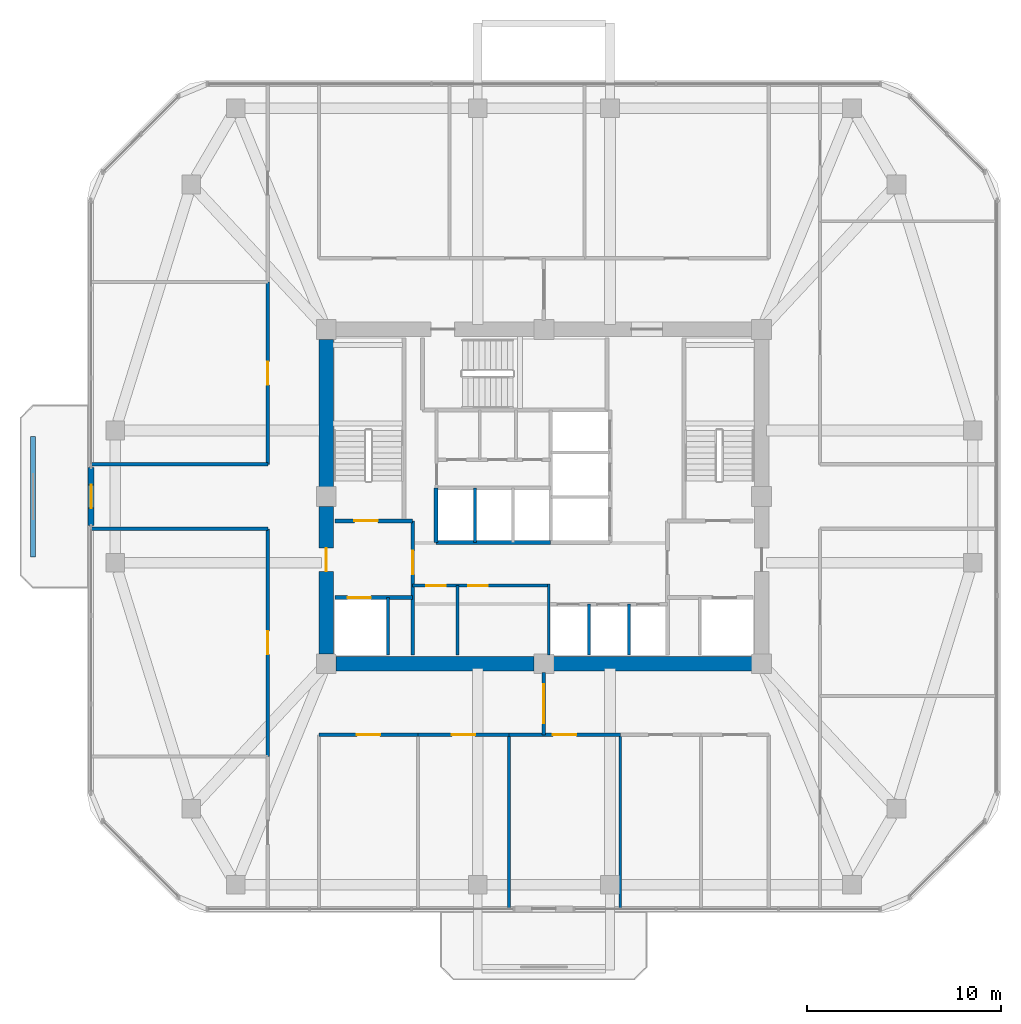
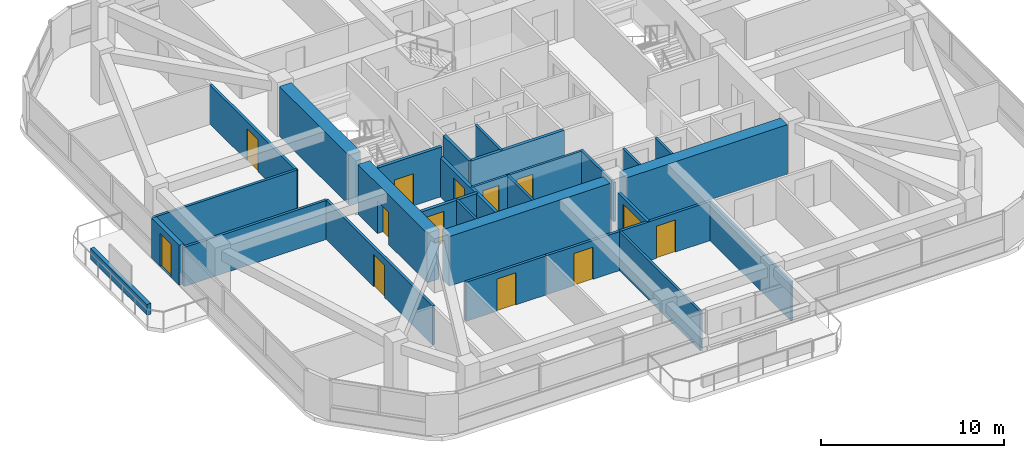
# One storey, part 7 of 12: 28 walls, 13 doors, 13 openings.
"""IFC4 building model written with IfcOpenShell, lengths in metres."""

import ifcopenshell
import ifcopenshell.guid

model = None  # the IFC model being written
_history = None  # IfcOwnerHistory: only IFC2X3 demands one
_inside = {}  # id of a spatial element -> (the spatial element, [elements in it])
_under = {}  # id of a project, library or spatial element -> (it, [spatial elements below it])
_declared = {}  # id of a project -> (the project, [libraries it declares])
_typed = {}  # id of a type object -> (the type object, [elements of that type])
_made_of = {}  # id of a material, layer set ... -> (it, [elements and type objects made of it])


def new_model(schema):
    """Start an empty IFC model of exactly this schema.

    Asked for "IFC4X3", IfcOpenShell would pick the latest addendum, in which some entities
    have other attributes; the version numbers below select the first issue.
    IFC2X3 requires an IfcOwnerHistory on every rooted entity: one is made here for all.
    """
    global model, _history
    if schema == "IFC4X3":
        model = ifcopenshell.file(schema_version=(4, 3, 0, 0))
    else:
        model = ifcopenshell.file(schema=schema)
    _inside.clear()
    _under.clear()
    _declared.clear()
    _typed.clear()
    _made_of.clear()
    _history = None
    if model.schema == "IFC2X3":
        org = make("IfcOrganization", Name="unknown")
        user = make(
            "IfcPersonAndOrganization",
            ThePerson=make("IfcPerson", FamilyName="unknown"),
            TheOrganization=org,
        )
        app = make(
            "IfcApplication",
            ApplicationDeveloper=org,
            Version="unknown",
            ApplicationFullName="unknown",
            ApplicationIdentifier="unknown",
        )
        _history = make(
            "IfcOwnerHistory",
            OwningUser=user,
            OwningApplication=app,
            ChangeAction="ADDED",
            CreationDate=0,
        )
    return model


def make(cls, **values):
    """One entity of the class cls with the attributes given. An attribute that is None is left unset."""
    return model.create_entity(
        cls, **{name: value for name, value in values.items() if value is not None}
    )


def rooted(cls, **values):
    """An entity with a GlobalId (a new one), such as an element, a storey or a relation."""
    return make(cls, GlobalId=ifcopenshell.guid.new(), OwnerHistory=_history, **values)


def si_unit(unit_type, name, prefix=None):
    """IfcSIUnit, for example si_unit("LENGTHUNIT", "METRE", prefix="MILLI")."""
    return make("IfcSIUnit", UnitType=unit_type, Prefix=prefix, Name=name)


def derived_unit(unit_type, elements):
    """IfcDerivedUnit: a product of units, each with its exponent."""
    return make(
        "IfcDerivedUnit",
        Elements=[
            make("IfcDerivedUnitElement", Unit=unit, Exponent=power)
            for unit, power in elements
        ],
        UnitType=unit_type,
    )


def assignment(units):
    """IfcUnitAssignment: the units of a project."""
    return None if units is None else make("IfcUnitAssignment", Units=units)


def point(xyz):
    """IfcCartesianPoint."""
    return None if xyz is None else make("IfcCartesianPoint", Coordinates=xyz)


def direction(xyz):
    """IfcDirection."""
    return None if xyz is None else make("IfcDirection", DirectionRatios=xyz)


def frame(location, z_axis=None, x_axis=None):
    """IfcAxis2Placement3D, a coordinate frame: its origin and axes. An axis left out is left unset."""
    return make(
        "IfcAxis2Placement3D",
        Location=point(location),
        Axis=direction(z_axis),
        RefDirection=direction(x_axis),
    )


def frame_2d(location, x_axis=None):
    """IfcAxis2Placement2D, a coordinate frame in the plane: its origin and x axis."""
    return make(
        "IfcAxis2Placement2D", Location=point(location), RefDirection=direction(x_axis)
    )


def origin():
    """The frame at (0, 0, 0) with its axes left unset."""
    return frame((0.0, 0.0, 0.0))


def place(relative_to, where):
    """IfcLocalPlacement: puts the frame where relative to a parent placement (None: the world)."""
    return make(
        "IfcLocalPlacement", PlacementRelTo=relative_to, RelativePlacement=where
    )


def context(
    kind, dimensions, precision=None, world=None, true_north=None, identifier=None
):
    """IfcGeometricRepresentationContext, for example the 3D "Model" context."""
    return make(
        "IfcGeometricRepresentationContext",
        ContextIdentifier=identifier,
        ContextType=kind,
        CoordinateSpaceDimension=dimensions,
        Precision=precision,
        WorldCoordinateSystem=world,
        TrueNorth=true_north,
    )


def subcontext(parent, identifier, kind, view, scale=None):
    """IfcGeometricRepresentationSubContext, for example "Body" below "Model"."""
    return make(
        "IfcGeometricRepresentationSubContext",
        ContextIdentifier=identifier,
        ContextType=kind,
        ParentContext=parent,
        TargetScale=scale,
        TargetView=view,
    )


def project(units=None, contexts=None):
    """IfcProject with its units and contexts."""
    return rooted(
        "IfcProject",
        Name="project",
        RepresentationContexts=contexts,
        UnitsInContext=assignment(units),
    )


def spatial(cls, under=None, at=None, **own):
    """A site, building, storey or space (cls), placed at a placement, below another one or the project."""
    s = rooted(cls, ObjectPlacement=at, **own)
    if under is not None:
        _under.setdefault(under.id(), (under, []))[1].append(s)
    return s


def profile(cls, at=None, kind="AREA", **sizes):
    """A parametric profile (cls). Its sizes go by their IFC names, for example OverallWidth=200.0."""
    return make(cls, ProfileType=kind, Position=at, **sizes)


def rectangle(**sizes):
    """IfcRectangleProfileDef."""
    return profile("IfcRectangleProfileDef", **sizes)


def extrude(swept, where, along, depth):
    """IfcExtrudedAreaSolid: the profile swept, set in the frame where, extruded along a direction by depth."""
    return make(
        "IfcExtrudedAreaSolid",
        SweptArea=swept,
        Position=where,
        ExtrudedDirection=direction(along),
        Depth=depth,
    )


def shape(context_of_items, identifier, shape_type, items):
    """IfcShapeRepresentation: the items that make up one representation, for example the "Body"."""
    return make(
        "IfcShapeRepresentation",
        ContextOfItems=context_of_items,
        RepresentationIdentifier=identifier,
        RepresentationType=shape_type,
        Items=items,
    )


def material(Name=None, Category=None):
    """IfcMaterial."""
    return make("IfcMaterial", Name=Name, Category=Category)


def layer(
    of_material, thickness, ventilated=None, Name=None, Category=None, Priority=None
):
    """IfcMaterialLayer: one layer of a wall or slab, of a material (None: an air gap)."""
    return make(
        "IfcMaterialLayer",
        Material=of_material,
        LayerThickness=thickness,
        IsVentilated=ventilated,
        Name=Name,
        Category=Category,
        Priority=Priority,
    )


def layer_set(layers, Name=None):
    """IfcMaterialLayerSet."""
    return make("IfcMaterialLayerSet", MaterialLayers=layers, LayerSetName=Name)


def made_of(thing, what):
    """Note that an element or type object is made of a material, layer set ...; save() writes the relation."""
    if what is not None:
        _made_of.setdefault(what.id(), (what, []))[1].append(thing)
    return thing


def type_object(cls, material=None, **own):
    """A type object (cls), such as IfcWallType, which elements share."""
    return made_of(rooted(cls, **own), material)


def element(
    cls,
    number,
    at=None,
    inside=None,
    cuts=None,
    type_object=None,
    material=None,
    context=None,
    identifier="Body",
    shape_type=None,
    held_by="IfcProductDefinitionShape",
    body=None,
    shapes=None,
    **own,
):
    """One element of the class cls, such as IfcWall. Its Tag is "e" and its number.

    at: its placement. inside: the storey or other place that contains it. cuts: it is an
    opening in that element (IfcRelVoidsElement). A single representation is given by context,
    identifier, shape_type and body (its items); several are given by shapes. held_by: the class
    of the entity that holds the representations. save() writes the other relations.
    """
    e = rooted(cls, Tag="e%d" % number, ObjectPlacement=at, **own)
    if body is not None:
        shapes = [shape(context, identifier, shape_type, body)]
    if shapes is not None:
        e.Representation = make(held_by, Representations=shapes)
    if inside is not None:
        _inside.setdefault(inside.id(), (inside, []))[1].append(e)
    if cuts is not None:
        rooted(
            "IfcRelVoidsElement", RelatingBuildingElement=cuts, RelatedOpeningElement=e
        )
    if type_object is not None:
        _typed.setdefault(type_object.id(), (type_object, []))[1].append(e)
    return made_of(e, material)


def fill(opening, filler):
    """IfcRelFillsElement: the door or window that sits in an opening."""
    return rooted(
        "IfcRelFillsElement",
        RelatingOpeningElement=opening,
        RelatedBuildingElement=filler,
    )


def aggregate(whole, parts):
    """IfcRelAggregates: a whole, such as a stair, and the parts it consists of."""
    return rooted("IfcRelAggregates", RelatingObject=whole, RelatedObjects=parts)


def save(model, path):
    """Write the relations noted so far, then the file.

    IfcRelAggregates (storeys below a building ...), IfcRelContainedInSpatialStructure (elements
    in a storey), IfcRelDefinesByType, IfcRelAssociatesMaterial and IfcRelDeclares: one each for
    every whole, place, type object, material and project.
    """
    for whole, parts in _under.values():
        aggregate(whole, parts)
    for where, things in _inside.values():
        rooted(
            "IfcRelContainedInSpatialStructure",
            RelatedElements=things,
            RelatingStructure=where,
        )
    for kind, things in _typed.values():
        rooted("IfcRelDefinesByType", RelatedObjects=things, RelatingType=kind)
    for what, things in _made_of.values():
        rooted("IfcRelAssociatesMaterial", RelatedObjects=things, RelatingMaterial=what)
    for by, libraries in _declared.values():
        rooted("IfcRelDeclares", RelatingContext=by, RelatedDefinitions=libraries)
    model.write(path)


model = new_model("IFC4")

# Units and contexts
model_context = context("Model", 3, precision=1e-05, world=origin(), true_north=direction((0.0, 1.0)))
body_context = subcontext(model_context, "Body", "Model", "MODEL_VIEW")
ifc_project = project(units=[si_unit("LENGTHUNIT", "METRE"), si_unit("AREAUNIT", "SQUARE_METRE"), si_unit("VOLUMEUNIT", "CUBIC_METRE"), si_unit("PLANEANGLEUNIT", "RADIAN"), si_unit("MASSUNIT", "GRAM", prefix="KILO"), derived_unit("THERMALTRANSMITTANCEUNIT", [(si_unit("POWERUNIT", "WATT"), 1), (si_unit("LENGTHUNIT", "METRE"), -2), (si_unit("THERMODYNAMICTEMPERATUREUNIT", "KELVIN"), -1)])], contexts=[model_context])

# Site, building, storey
site_placement = place(None, origin())
site = spatial("IfcSite", under=ifc_project, at=site_placement, CompositionType="ELEMENT")
building_placement = place(site_placement, origin())
building = spatial("IfcBuilding", under=site, at=building_placement, Name="Koralith Skygarden Medical Center", CompositionType="ELEMENT")
storey_placement = place(building_placement, frame((0.0, 0.0, 149.219970703125)))
storey = spatial("IfcBuildingStorey", under=building, at=storey_placement, Name="L38", CompositionType="ELEMENT", Elevation=149.219970703125)

# Wall, openings, doors
ifc_material_1 = material(Name="Gypsum Board Partition")
ifc_layer_1 = layer(ifc_material_1, 0.14990234375)
ifc_layer_set_1 = layer_set([ifc_layer_1], Name="Gypsum Board Partition")
wall_type_1 = type_object("IfcWallType", Name="Clinical Acoustic Partition 150", PredefinedType="PARTITIONING", material=ifc_layer_set_1)
wall_1_placement = place(storey_placement, frame((30.25, 21.320068359375, 0.0), z_axis=(0.0, 0.0, 1.0), x_axis=(1.0, 0.0, 0.0)))
wall_1 = element("IfcWall", 1, at=wall_1_placement, inside=storey, type_object=wall_type_1, Name="L38 Clinical Acoustic Partition 150 W-CORE-L38-FREED-LR-N", PredefinedType="PARTITIONING", context=body_context, shape_type="SweptSolid", body=[
    extrude(rectangle(XDim=7.0, YDim=0.14990234375, at=frame_2d((3.5, 0.0))), origin(), (0.0, 0.0, 1.0), 2.610107421875),
])
opening_1_placement = place(wall_1_placement, frame((0.699951171875, 0.0, 0.0)))
opening_1 = element("IfcOpeningElement", 2, at=opening_1_placement, cuts=wall_1, Name="Opening D-SUP", PredefinedType="OPENING", context=body_context, shape_type="SweptSolid", body=[
    extrude(rectangle(XDim=1.0, YDim=2.14990234375, at=frame_2d((0.5, 1.074951171875))), frame((0.0, 0.0849609375, 0.0), z_axis=(0.0, -1.0, 0.0), x_axis=(1.0, 0.0, 0.0)), (0.0, 0.0, 1.0), 0.169921875),
])
opening_2_placement = place(wall_1_placement, frame((2.85009765625, 0.0, 0.0)))
opening_2 = element("IfcOpeningElement", 3, at=opening_2_placement, cuts=wall_1, Name="Opening D-SUP", PredefinedType="OPENING", context=body_context, shape_type="SweptSolid", body=[
    extrude(rectangle(XDim=1.0, YDim=2.14990234375, at=frame_2d((0.5, 1.074951171875))), frame((0.0, 0.0849609375, 0.0), z_axis=(0.0, -1.0, 0.0), x_axis=(1.0, 0.0, 0.0)), (0.0, 0.0, 1.0), 0.169921875),
])
ifc_material_2 = material(Name="Aluminium 6063-T6", Category="aluminium")
door_type_1 = type_object("IfcDoorType", Name="Clinical Support Door D-SUP 1000", OperationType="NOTDEFINED", PredefinedType="DOOR", material=ifc_material_2)
door_1_placement = place(opening_1_placement, frame((1.0, 0.0, 0.0), z_axis=(0.0, 0.0, 1.0), x_axis=(-1.0, 0.0, 0.0)))
door_1 = element("IfcDoor", 4, at=door_1_placement, inside=storey, type_object=door_type_1, Name="L38 Medication Preparation Door", OperationType="SINGLE_SWING_LEFT", OverallHeight=2.14990234375, OverallWidth=1.0, PredefinedType="DOOR", context=body_context, shape_type="SweptSolid", body=[
    extrude(rectangle(XDim=1.0, YDim=2.14990234375, at=frame_2d((0.5, 1.074951171875))), frame((0.0, 0.02490234375, 0.0), z_axis=(0.0, -1.0, 0.0), x_axis=(1.0, 0.0, 0.0)), (0.0, 0.0, 1.0), 0.050048828125),
])
fill(opening_1, door_1)
door_2_placement = place(opening_2_placement, frame((1.0, 0.0, 0.0), z_axis=(0.0, 0.0, 1.0), x_axis=(-1.0, 0.0, 0.0)))
door_2 = element("IfcDoor", 5, at=door_2_placement, inside=storey, type_object=door_type_1, Name="L38 Telemetry Room Door", OperationType="SINGLE_SWING_RIGHT", OverallHeight=2.14990234375, OverallWidth=1.0, PredefinedType="DOOR", context=body_context, shape_type="SweptSolid", body=[
    extrude(rectangle(XDim=1.0, YDim=2.14990234375, at=frame_2d((0.5, 1.074951171875))), frame((0.0, 0.02490234375, 0.0), z_axis=(0.0, -1.0, 0.0), x_axis=(1.0, 0.0, 0.0)), (0.0, 0.0, 1.0), 0.050048828125),
])
fill(opening_2, door_2)

# Walls
wall_2_placement = place(storey_placement, frame((32.550048828125, 17.75, 0.0), z_axis=(0.0, 0.0, 1.0), x_axis=(0.0, 1.0, 0.0)))
element("IfcWall", 6, at=wall_2_placement, inside=storey, type_object=wall_type_1, Name="L38 Clinical Acoustic Partition 150 W-CORE-L38-FREED-LR-M", PredefinedType="PARTITIONING", context=body_context, shape_type="SweptSolid", body=[
    extrude(rectangle(XDim=3.570068359375, YDim=0.14990234375, at=frame_2d((1.78515625, 0.0))), origin(), (0.0, 0.0, 1.0), 2.610107421875),
])
for number, where, z_axis, x_axis, name in (
    (7, (35.199951171875, 13.639892578125, 0.0), (0.0, 0.0, 1.0), (0.0, -1.0, 0.0), "L38 Clinical Acoustic Partition 150 W-PART-L38-S-02"),
    (8, (40.929931640625, 13.639892578125, 0.0), (0.0, 0.0, 1.0), (0.0, -1.0, 0.0), "L38 Clinical Acoustic Partition 150 W-PART-L38-S-03"),
):
    element("IfcWall", number, at=place(storey_placement, frame(where, z_axis=z_axis, x_axis=x_axis)), inside=storey, type_object=wall_type_1, Name=name, PredefinedType="PARTITIONING", context=body_context, shape_type="SweptSolid", body=[
        extrude(rectangle(XDim=8.93994140625, YDim=0.14990234375, at=frame_2d((4.469970703125, 0.0))), origin(), (0.0, 0.0, 1.0), 2.610107421875),
    ])
ifc_layer_2 = layer(ifc_material_1, 0.1650390625)
ifc_layer_set_2 = layer_set([ifc_layer_2], Name="Gypsum Board Partition")
wall_type_2 = type_object("IfcWallType", Name="Clinical Corridor Partition 165", PredefinedType="PARTITIONING", material=ifc_layer_set_2)
for number, where, z_axis, x_axis, name in (
    (9, (13.716064453125, 24.239990234375, 0.0), (0.0, 0.0, 1.0), (1.0, 0.0, 0.0), "L38 Clinical Corridor Partition 165 W-HCOR-L38-EWS-W"),
    (10, (13.716064453125, 27.56005859375, 0.0), (0.0, 0.0, 1.0), (1.0, 0.0, 0.0), "L38 Clinical Corridor Partition 165 W-HCOR-L38-EWN-W"),
):
    element("IfcWall", number, at=place(storey_placement, frame(where, z_axis=z_axis, x_axis=x_axis)), inside=storey, type_object=wall_type_2, Name=name, PredefinedType="PARTITIONING", context=body_context, shape_type="SweptSolid", body=[
        extrude(rectangle(XDim=9.073974609375, YDim=0.1650390625, at=frame_2d((4.537109375, 0.0))), origin(), (0.0, 0.0, 1.0), 2.610107421875),
    ])

# Wall, opening, door
wall_3_placement = place(storey_placement, frame((25.429931640625, 13.639892578125, 0.0), z_axis=(0.0, 0.0, 1.0), x_axis=(1.0, 0.0, 0.0)))
wall_3 = element("IfcWall", 11, at=wall_3_placement, inside=storey, type_object=wall_type_2, Name="L38 Clinical Corridor Partition 165 W-CORR-L38-S-01", PredefinedType="PARTITIONING", context=body_context, shape_type="SweptSolid", body=[
    extrude(rectangle(XDim=5.095947265625, YDim=0.1650390625, at=frame_2d((2.5478515625, 0.0))), origin(), (0.0, 0.0, 1.0), 2.610107421875),
])
opening_3_placement = place(wall_3_placement, frame((1.947998046875, 0.0, 0.0)))
opening_3 = element("IfcOpeningElement", 12, at=opening_3_placement, cuts=wall_3, Name="Opening D-CLN", PredefinedType="OPENING", context=body_context, shape_type="SweptSolid", body=[
    extrude(rectangle(XDim=1.199951171875, YDim=2.14990234375, at=frame_2d((0.60009765625, 1.074951171875))), frame((0.0, 0.092529296875, 0.0), z_axis=(0.0, -1.0, 0.0), x_axis=(1.0, 0.0, 0.0)), (0.0, 0.0, 1.0), 0.18505859375),
])
door_type_2 = type_object("IfcDoorType", Name="Clinical Corridor Door D-CLN 1200", OperationType="NOTDEFINED", PredefinedType="DOOR", material=ifc_material_2)
door_3_placement = place(opening_3_placement, frame((1.199951171875, 0.0, 0.0), z_axis=(0.0, 0.0, 1.0), x_axis=(-1.0, 0.0, 0.0)))
door_3 = element("IfcDoor", 13, at=door_3_placement, inside=storey, type_object=door_type_2, Name="L38 Clinical Consultation Office 04 Door", OperationType="SINGLE_SWING_LEFT", OverallHeight=2.14990234375, OverallWidth=1.199951171875, PredefinedType="DOOR", context=body_context, shape_type="SweptSolid", body=[
    extrude(rectangle(XDim=1.199951171875, YDim=2.14990234375, at=frame_2d((0.60009765625, 1.074951171875))), frame((0.0, 0.02490234375, 0.0), z_axis=(0.0, -1.0, 0.0), x_axis=(1.0, 0.0, 0.0)), (0.0, 0.0, 1.0), 0.050048828125),
])
fill(opening_3, door_3)

wall_4_placement = place(storey_placement, frame((30.52587890625, 13.639892578125, 0.0), z_axis=(0.0, 0.0, 1.0), x_axis=(1.0, 0.0, 0.0)))
wall_4 = element("IfcWall", 14, at=wall_4_placement, inside=storey, type_object=wall_type_2, Name="L38 Clinical Corridor Partition 165 W-CORR-L38-S-02", PredefinedType="PARTITIONING", context=body_context, shape_type="SweptSolid", body=[
    extrude(rectangle(XDim=4.674072265625, YDim=0.1650390625, at=frame_2d((2.3369140625, 0.0))), origin(), (0.0, 0.0, 1.0), 2.610107421875),
])
opening_4_placement = place(wall_4_placement, frame((1.737060546875, 0.0, 0.0)))
opening_4 = element("IfcOpeningElement", 15, at=opening_4_placement, cuts=wall_4, Name="Opening D-CLN", PredefinedType="OPENING", context=body_context, shape_type="SweptSolid", body=[
    extrude(rectangle(XDim=1.199951171875, YDim=2.14990234375, at=frame_2d((0.60009765625, 1.074951171875))), frame((0.0, 0.092529296875, 0.0), z_axis=(0.0, -1.0, 0.0), x_axis=(1.0, 0.0, 0.0)), (0.0, 0.0, 1.0), 0.18505859375),
])
door_4_placement = place(opening_4_placement, frame((1.199951171875, 0.0, 0.0), z_axis=(0.0, 0.0, 1.0), x_axis=(-1.0, 0.0, 0.0)))
door_4 = element("IfcDoor", 16, at=door_4_placement, inside=storey, type_object=door_type_2, Name="L38 Dermatology Procedure Room 05 Door", OperationType="SINGLE_SWING_RIGHT", OverallHeight=2.14990234375, OverallWidth=1.199951171875, PredefinedType="DOOR", context=body_context, shape_type="SweptSolid", body=[
    extrude(rectangle(XDim=1.199951171875, YDim=2.14990234375, at=frame_2d((0.60009765625, 1.074951171875))), frame((0.0, 0.02490234375, 0.0), z_axis=(0.0, -1.0, 0.0), x_axis=(1.0, 0.0, 0.0)), (0.0, 0.0, 1.0), 0.050048828125),
])
fill(opening_4, door_4)

wall_5_placement = place(storey_placement, frame((35.199951171875, 13.639892578125, 0.0), z_axis=(0.0, 0.0, 1.0), x_axis=(1.0, 0.0, 0.0)))
wall_5 = element("IfcWall", 17, at=wall_5_placement, inside=storey, type_object=wall_type_2, Name="L38 Clinical Corridor Partition 165 W-CORR-L38-S-03", PredefinedType="PARTITIONING", context=body_context, shape_type="SweptSolid", body=[
    extrude(rectangle(XDim=5.72998046875, YDim=0.1650390625, at=frame_2d((2.864990234375, 0.0))), origin(), (0.0, 0.0, 1.0), 2.610107421875),
])
opening_5_placement = place(wall_5_placement, frame((2.264892578125, 0.0, 0.0)))
opening_5 = element("IfcOpeningElement", 18, at=opening_5_placement, cuts=wall_5, Name="Opening D-CLN", PredefinedType="OPENING", context=body_context, shape_type="SweptSolid", body=[
    extrude(rectangle(XDim=1.199951171875, YDim=2.14990234375, at=frame_2d((0.60009765625, 1.074951171875))), frame((0.0, 0.092529296875, 0.0), z_axis=(0.0, -1.0, 0.0), x_axis=(1.0, 0.0, 0.0)), (0.0, 0.0, 1.0), 0.18505859375),
])
door_5_placement = place(opening_5_placement, frame((1.199951171875, 0.0, 0.0), z_axis=(0.0, 0.0, 1.0), x_axis=(-1.0, 0.0, 0.0)))
door_5 = element("IfcDoor", 19, at=door_5_placement, inside=storey, type_object=door_type_2, Name="L38 Patient and Family Sky-Garden Day Lounge 06 Door", OperationType="SINGLE_SWING_LEFT", OverallHeight=2.14990234375, OverallWidth=1.199951171875, PredefinedType="DOOR", context=body_context, shape_type="SweptSolid", body=[
    extrude(rectangle(XDim=1.199951171875, YDim=2.14990234375, at=frame_2d((0.60009765625, 1.074951171875))), frame((0.0, 0.02490234375, 0.0), z_axis=(0.0, -1.0, 0.0), x_axis=(1.0, 0.0, 0.0)), (0.0, 0.0, 1.0), 0.050048828125),
])
fill(opening_5, door_5)

wall_6_placement = place(storey_placement, frame((22.7900390625, 12.51611328125, 0.0), z_axis=(0.0, 0.0, 1.0), x_axis=(0.0, 1.0, 0.0)))
wall_6 = element("IfcWall", 20, at=wall_6_placement, inside=storey, type_object=wall_type_2, Name="L38 Clinical Corridor Partition 165 W-CORR-L38-WS-02", PredefinedType="PARTITIONING", context=body_context, shape_type="SweptSolid", body=[
    extrude(rectangle(XDim=11.723876953125, YDim=0.1650390625, at=frame_2d((5.86181640625, 0.0))), origin(), (0.0, 0.0, 1.0), 2.610107421875),
])
opening_6_placement = place(wall_6_placement, frame((5.261962890625, 0.0, 0.0)))
opening_6 = element("IfcOpeningElement", 21, at=opening_6_placement, cuts=wall_6, Name="Opening D-CLN", PredefinedType="OPENING", context=body_context, shape_type="SweptSolid", body=[
    extrude(rectangle(XDim=1.199951171875, YDim=2.14990234375, at=frame_2d((0.60009765625, 1.074951171875))), frame((0.0, 0.092529296875, 0.0), z_axis=(0.0, -1.0, 0.0), x_axis=(1.0, 0.0, 0.0)), (0.0, 0.0, 1.0), 0.18505859375),
])
door_6_placement = place(opening_6_placement, frame((1.199951171875, 0.0, 0.0), z_axis=(0.0, 0.0, 1.0), x_axis=(-1.0, 0.0, 0.0)))
door_6 = element("IfcDoor", 22, at=door_6_placement, inside=storey, type_object=door_type_2, Name="L38 Dermatology Procedure Room 10 Door", OperationType="SINGLE_SWING_LEFT", OverallHeight=2.14990234375, OverallWidth=1.199951171875, PredefinedType="DOOR", context=body_context, shape_type="SweptSolid", body=[
    extrude(rectangle(XDim=1.199951171875, YDim=2.14990234375, at=frame_2d((0.60009765625, 1.074951171875))), frame((0.0, 0.02490234375, 0.0), z_axis=(0.0, -1.0, 0.0), x_axis=(1.0, 0.0, 0.0)), (0.0, 0.0, 1.0), 0.050048828125),
])
fill(opening_6, door_6)

wall_7_placement = place(storey_placement, frame((22.7900390625, 27.56005859375, 0.0), z_axis=(0.0, 0.0, 1.0), x_axis=(0.0, 1.0, 0.0)))
wall_7 = element("IfcWall", 23, at=wall_7_placement, inside=storey, type_object=wall_type_2, Name="L38 Clinical Corridor Partition 165 W-CORR-L38-WN-01", PredefinedType="PARTITIONING", context=body_context, shape_type="SweptSolid", body=[
    extrude(rectangle(XDim=9.37890625, YDim=0.1650390625, at=frame_2d((4.689453125, 0.0))), origin(), (0.0, 0.0, 1.0), 2.610107421875),
])
opening_7_placement = place(wall_7_placement, frame((4.090087890625, 0.0, 0.0)))
opening_7 = element("IfcOpeningElement", 24, at=opening_7_placement, cuts=wall_7, Name="Opening D-CLN", PredefinedType="OPENING", context=body_context, shape_type="SweptSolid", body=[
    extrude(rectangle(XDim=1.199951171875, YDim=2.14990234375, at=frame_2d((0.60009765625, 1.074951171875))), frame((0.0, 0.092529296875, 0.0), z_axis=(0.0, -1.0, 0.0), x_axis=(1.0, 0.0, 0.0)), (0.0, 0.0, 1.0), 0.18505859375),
])
door_7_placement = place(opening_7_placement, frame((1.199951171875, 0.0, 0.0), z_axis=(0.0, 0.0, 1.0), x_axis=(-1.0, 0.0, 0.0)))
door_7 = element("IfcDoor", 25, at=door_7_placement, inside=storey, type_object=door_type_2, Name="L38 Allergy Immunology Office 11 Door", OperationType="SINGLE_SWING_RIGHT", OverallHeight=2.14990234375, OverallWidth=1.199951171875, PredefinedType="DOOR", context=body_context, shape_type="SweptSolid", body=[
    extrude(rectangle(XDim=1.199951171875, YDim=2.14990234375, at=frame_2d((0.60009765625, 1.074951171875))), frame((0.0, 0.02490234375, 0.0), z_axis=(0.0, -1.0, 0.0), x_axis=(1.0, 0.0, 0.0)), (0.0, 0.0, 1.0), 0.050048828125),
])
fill(opening_7, door_7)

ifc_layer_3 = layer(ifc_material_1, 0.199951171875)
ifc_layer_set_3 = layer_set([ifc_layer_3], Name="Gypsum Board Partition")
wall_type_3 = type_object("IfcWallType", Name="Fire Shaft Wall 200", PredefinedType="SOLIDWALL", material=ifc_layer_set_3)
wall_8_placement = place(storey_placement, frame((26.25, 20.699951171875, 0.0), z_axis=(0.0, 0.0, 1.0), x_axis=(1.0, 0.0, 0.0)))
wall_8 = element("IfcWall", 26, at=wall_8_placement, inside=storey, type_object=wall_type_3, Name="L38 Fire Shaft Wall 200 W-CORE-L38-FF1-N", PredefinedType="SOLIDWALL", context=body_context, shape_type="SweptSolid", body=[
    extrude(rectangle(XDim=4.0, YDim=0.199951171875, at=frame_2d((2.0, 0.0))), origin(), (0.0, 0.0, 1.0), 2.610107421875),
])
opening_8_placement = place(wall_8_placement, frame((0.64990234375, 0.0, 0.0)))
opening_8 = element("IfcOpeningElement", 27, at=opening_8_placement, cuts=wall_8, Name="Opening LD-FF", PredefinedType="OPENING", context=body_context, shape_type="SweptSolid", body=[
    extrude(rectangle(XDim=1.199951171875, YDim=2.14990234375, at=frame_2d((0.60009765625, 1.074951171875))), frame((0.0, 0.10986328125, 0.0), z_axis=(0.0, -1.0, 0.0), x_axis=(1.0, 0.0, 0.0)), (0.0, 0.0, 1.0), 0.219970703125),
])
ifc_material_3 = material(Name="Steel ASTM A500 Grade C", Category="steel")
door_type_3 = type_object("IfcDoorType", Name="Fire Lift Sliding Landing Door LD-FF 1200", OperationType="NOTDEFINED", PredefinedType="DOOR", material=ifc_material_3)
door_8_placement = place(opening_8_placement, origin())
door_8 = element("IfcDoor", 28, at=door_8_placement, inside=storey, type_object=door_type_3, Name="L38 Fire Service Elevator FF1 Landing Door", OperationType="SLIDING_TO_LEFT", OverallHeight=2.14990234375, OverallWidth=1.199951171875, PredefinedType="DOOR", context=body_context, shape_type="SweptSolid", body=[
    extrude(rectangle(XDim=1.199951171875, YDim=2.14990234375, at=frame_2d((0.60009765625, 1.074951171875))), frame((0.0, 0.02490234375, 0.0), z_axis=(0.0, -1.0, 0.0), x_axis=(1.0, 0.0, 0.0)), (0.0, 0.0, 1.0), 0.050048828125),
])
fill(opening_8, door_8)

wall_9_placement = place(storey_placement, frame((30.25, 17.75, 0.0), z_axis=(0.0, 0.0, 1.0), x_axis=(0.0, 1.0, 0.0)))
wall_9 = element("IfcWall", 29, at=wall_9_placement, inside=storey, type_object=wall_type_3, Name="L38 Fire Shaft Wall 200 W-CORE-L38-FSAEW-E", PredefinedType="SOLIDWALL", context=body_context, shape_type="SweptSolid", body=[
    extrude(rectangle(XDim=6.89990234375, YDim=0.199951171875, at=frame_2d((3.449951171875, 0.0))), origin(), (0.0, 0.0, 1.0), 2.610107421875),
])
opening_9_placement = place(wall_9_placement, frame((4.14990234375, 0.0, 0.0)))
opening_9 = element("IfcOpeningElement", 30, at=opening_9_placement, cuts=wall_9, Name="Opening D-ST60", PredefinedType="OPENING", context=body_context, shape_type="SweptSolid", body=[
    extrude(rectangle(XDim=1.199951171875, YDim=2.14990234375, at=frame_2d((0.60009765625, 1.074951171875))), frame((0.0, 0.10986328125, 0.0), z_axis=(0.0, -1.0, 0.0), x_axis=(1.0, 0.0, 0.0)), (0.0, 0.0, 1.0), 0.219970703125),
])
door_type_4 = type_object("IfcDoorType", Name="Smokeproof Stair Fire Door FD60S 1200", OperationType="NOTDEFINED", PredefinedType="DOOR", material=ifc_material_3)
door_9_placement = place(opening_9_placement, origin())
door_9 = element("IfcDoor", 31, at=door_9_placement, inside=storey, type_object=door_type_4, Name="L38 West Firefighting Lobby Inner Fire Door", OperationType="SINGLE_SWING_LEFT", OverallHeight=2.14990234375, OverallWidth=1.199951171875, PredefinedType="DOOR", context=body_context, shape_type="SweptSolid", body=[
    extrude(rectangle(XDim=1.199951171875, YDim=2.14990234375, at=frame_2d((0.60009765625, 1.074951171875))), frame((0.0, 0.02490234375, 0.0), z_axis=(0.0, -1.0, 0.0), x_axis=(1.0, 0.0, 0.0)), (0.0, 0.0, 1.0), 0.050048828125),
])
fill(opening_9, door_9)

# Walls
wall_10_placement = place(storey_placement, frame((31.449951171875, 23.5400390625, 0.0), z_axis=(0.0, 0.0, 1.0), x_axis=(1.0, 0.0, 0.0)))
element("IfcWall", 32, at=wall_10_placement, inside=storey, type_object=wall_type_3, Name="L38 Fire Shaft Wall 200 W-CORE-L38-PH-S", PredefinedType="SOLIDWALL", context=body_context, shape_type="SweptSolid", body=[
    extrude(rectangle(XDim=5.900146484375, YDim=0.199951171875, at=frame_2d((2.9501953125, 0.0))), origin(), (0.0, 0.0, 1.0), 2.610107421875),
])
wall_11_placement = place(storey_placement, frame((31.449951171875, 23.5400390625, 0.0), z_axis=(0.0, 0.0, 1.0), x_axis=(0.0, 1.0, 0.0)))
element("IfcWall", 33, at=wall_11_placement, inside=storey, type_object=wall_type_3, Name="L38 Fire Shaft Wall 200 W-CORE-L38-PH-W", PredefinedType="SOLIDWALL", context=body_context, shape_type="SweptSolid", body=[
    extrude(rectangle(XDim=2.81005859375, YDim=0.199951171875, at=frame_2d((1.405029296875, 0.0))), origin(), (0.0, 0.0, 1.0), 2.610107421875),
])

# Wall, opening, door
ifc_layer_4 = layer(ifc_material_1, 0.179931640625)
ifc_layer_set_4 = layer_set([ifc_layer_4], Name="Gypsum Board Partition")
wall_type_4 = type_object("IfcWallType", Name="Group I-2 Smoke Barrier Wall 180", PredefinedType="PARTITIONING", material=ifc_layer_set_4)
wall_12_placement = place(storey_placement, frame((37.0, 13.639892578125, 0.0), z_axis=(0.0, 0.0, 1.0), x_axis=(0.0, 1.0, 0.0)))
wall_12 = element("IfcWall", 34, at=wall_12_placement, inside=storey, type_object=wall_type_4, Name="L38 Group I-2 Smoke Barrier Wall 180 W-SMK-L38-S", PredefinedType="PARTITIONING", context=body_context, shape_type="SweptSolid", body=[
    extrude(rectangle(XDim=3.210205078125, YDim=0.179931640625, at=frame_2d((1.60498046875, 0.0))), origin(), (0.0, 0.0, 1.0), 2.610107421875),
])
opening_10_placement = place(wall_12_placement, frame((0.60498046875, 0.0, 0.0)))
opening_10 = element("IfcOpeningElement", 35, at=opening_10_placement, cuts=wall_12, Name="Opening D-SMK", PredefinedType="OPENING", context=body_context, shape_type="SweptSolid", body=[
    extrude(rectangle(XDim=2.0, YDim=2.199951171875, at=frame_2d((1.0, 1.10009765625))), frame((0.0, 0.099853515625, 0.0), z_axis=(0.0, -1.0, 0.0), x_axis=(1.0, 0.0, 0.0)), (0.0, 0.0, 1.0), 0.199951171875),
])
door_type_5 = type_object("IfcDoorType", Name="Cross-Corridor Double Smoke Door FD60S 2000", OperationType="NOTDEFINED", PredefinedType="DOOR", material=ifc_material_3)
door_10_placement = place(opening_10_placement, frame((2.0, 0.0, 0.0), z_axis=(0.0, 0.0, 1.0), x_axis=(-1.0, 0.0, 0.0)))
door_10 = element("IfcDoor", 36, at=door_10_placement, inside=storey, type_object=door_type_5, Name="L38 S Smoke Compartment Cross-Corridor Door", OperationType="DOUBLE_DOOR_SINGLE_SWING", OverallHeight=2.199951171875, OverallWidth=2.0, PredefinedType="DOOR", context=body_context, shape_type="SweptSolid", body=[
    extrude(rectangle(XDim=2.0, YDim=2.199951171875, at=frame_2d((1.0, 1.10009765625))), frame((0.0, 0.02490234375, 0.0), z_axis=(0.0, -1.0, 0.0), x_axis=(1.0, 0.0, 0.0)), (0.0, 0.0, 1.0), 0.050048828125),
])
fill(opening_10, door_10)

# Walls
ifc_material_4 = material(Name="Concrete C70/85", Category="concrete")
ifc_layer_5 = layer(ifc_material_4, 0.75)
ifc_layer_set_5 = layer_set([ifc_layer_5], Name="Concrete C70/85")
wall_type_5 = type_object("IfcWallType", Name="Mid Core Shear Wall 750", PredefinedType="SHEAR", material=ifc_layer_set_5)
for number, where, z_axis, x_axis, name in (
    (37, (26.304931640625, 17.300048828125, 0.0), (0.0, 0.0, 1.0), (1.0, 0.0, 0.0), "L38 Core Shear Wall Segment 1"),
    (38, (37.5048828125, 17.300048828125, 0.0), (0.0, 0.0, 1.0), (1.0, 0.0, 0.0), "L38 Core Shear Wall Segment 2"),
):
    element("IfcWall", number, at=place(storey_placement, frame(where, z_axis=z_axis, x_axis=x_axis)), inside=storey, type_object=wall_type_5, Name=name, PredefinedType="SHEAR", context=body_context, shape_type="SweptSolid", body=[
        extrude(rectangle(XDim=10.190185546875, YDim=0.75, at=frame_2d((5.09521484375, 0.0))), origin(), (0.0, 0.0, 1.0), 3.320068359375),
    ])
wall_13_placement = place(storey_placement, frame((25.800048828125, 33.9951171875, 0.0), z_axis=(0.0, 0.0, 1.0), x_axis=(0.0, -1.0, 0.0)))
element("IfcWall", 39, at=wall_13_placement, inside=storey, type_object=wall_type_5, Name="L38 Core Shear Wall Segment 7", PredefinedType="SHEAR", context=body_context, shape_type="SweptSolid", body=[
    extrude(rectangle(XDim=7.590087890625, YDim=0.75, at=frame_2d((3.794921875, 0.0))), origin(), (0.0, 0.0, 1.0), 3.320068359375),
])

# Wall, opening, door
wall_14_placement = place(storey_placement, frame((25.800048828125, 25.39501953125, 0.0), z_axis=(0.0, 0.0, 1.0), x_axis=(0.0, -1.0, 0.0)))
wall_14 = element("IfcWall", 40, at=wall_14_placement, inside=storey, type_object=wall_type_5, Name="L38 Core Shear Wall Segment 8", PredefinedType="SHEAR", context=body_context, shape_type="SweptSolid", body=[
    extrude(rectangle(XDim=7.590087890625, YDim=0.75, at=frame_2d((3.794921875, 0.0))), origin(), (0.0, 0.0, 1.0), 3.320068359375),
])
opening_11_placement = place(wall_14_placement, frame((2.14501953125, 0.0, 0.0)))
opening_11 = element("IfcOpeningElement", 41, at=opening_11_placement, cuts=wall_14, Name="Opening D-ST60", PredefinedType="OPENING", context=body_context, shape_type="SweptSolid", body=[
    extrude(rectangle(XDim=1.199951171875, YDim=2.14990234375, at=frame_2d((0.60009765625, 1.074951171875))), frame((0.0, 0.385009765625, 0.0), z_axis=(0.0, -1.0, 0.0), x_axis=(1.0, 0.0, 0.0)), (0.0, 0.0, 1.0), 0.77001953125),
])
door_11_placement = place(opening_11_placement, frame((1.199951171875, 0.0, 0.0), z_axis=(0.0, 0.0, 1.0), x_axis=(-1.0, 0.0, 0.0)))
door_11 = element("IfcDoor", 42, at=door_11_placement, inside=storey, type_object=door_type_4, Name="L38 West Corridor to Firefighting Lobby Door", OperationType="SINGLE_SWING_LEFT", OverallHeight=2.14990234375, OverallWidth=1.199951171875, PredefinedType="DOOR", context=body_context, shape_type="SweptSolid", body=[
    extrude(rectangle(XDim=1.199951171875, YDim=2.14990234375, at=frame_2d((0.60009765625, 1.074951171875))), frame((0.0, 0.02490234375, 0.0), z_axis=(0.0, -1.0, 0.0), x_axis=(1.0, 0.0, 0.0)), (0.0, 0.0, 1.0), 0.050048828125),
])
fill(opening_11, door_11)

ifc_material_5 = material(Name="Warm Oolitic Limestone Cladding", Category="masonry")
ifc_layer_6 = layer(ifc_material_5, 0.300048828125)
ifc_layer_set_6 = layer_set([ifc_layer_6], Name="Warm Oolitic Limestone Cladding")
wall_type_6 = type_object("IfcWallType", Name="Oolitic Limestone Insulated Facade Wall 300", PredefinedType="SOLIDWALL", material=ifc_layer_set_6)
wall_15_placement = place(storey_placement, frame((13.696044921875, 27.39990234375, 0.0), z_axis=(0.0, 0.0, 1.0), x_axis=(0.0, -1.0, 0.0)))
wall_15 = element("IfcWall", 43, at=wall_15_placement, inside=storey, type_object=wall_type_6, Name="L38 Terrace Portal Wall W", PredefinedType="SOLIDWALL", context=body_context, shape_type="SweptSolid", body=[
    extrude(rectangle(XDim=3.0, YDim=0.300048828125, at=frame_2d((1.5, 0.0))), origin(), (0.0, 0.0, 1.0), 2.669921875),
])
opening_12_placement = place(wall_15_placement, frame((0.89990234375, 0.0, 0.0)))
opening_12 = element("IfcOpeningElement", 44, at=opening_12_placement, cuts=wall_15, Name="Opening D-BAL", PredefinedType="OPENING", context=body_context, shape_type="SweptSolid", body=[
    extrude(rectangle(XDim=1.199951171875, YDim=2.199951171875, at=frame_2d((0.60009765625, 1.10009765625))), frame((0.0, 0.159912109375, 0.0), z_axis=(0.0, -1.0, 0.0), x_axis=(1.0, 0.0, 0.0)), (0.0, 0.0, 1.0), 0.320068359375),
])
door_type_6 = type_object("IfcDoorType", Name="Planted Balcony Glazed Terrace Door D-BAL 1200", OperationType="NOTDEFINED", PredefinedType="DOOR", material=ifc_material_2)
door_12_placement = place(opening_12_placement, origin())
door_12 = element("IfcDoor", 45, at=door_12_placement, inside=storey, type_object=door_type_6, Name="L38 W Outdoor Terrace Access Door", OperationType="SINGLE_SWING_LEFT", OverallHeight=2.199951171875, OverallWidth=1.199951171875, PredefinedType="DOOR", context=body_context, shape_type="SweptSolid", body=[
    extrude(rectangle(XDim=1.199951171875, YDim=2.199951171875, at=frame_2d((0.60009765625, 1.10009765625))), frame((0.0, 0.02490234375, 0.0), z_axis=(0.0, -1.0, 0.0), x_axis=(1.0, 0.0, 0.0)), (0.0, 0.0, 1.0), 0.050048828125),
])
fill(opening_12, door_12)

# Walls
ifc_layer_7 = layer(ifc_material_1, 0.14990234375)
ifc_layer_set_7 = layer_set([ifc_layer_7], Name="Gypsum Board Partition")
wall_type_7 = type_object("IfcWallType", Name="Shaft Partition Wall 150", PredefinedType="PARTITIONING", material=ifc_layer_set_7)
wall_16_placement = place(storey_placement, frame((28.969970703125, 17.75, 0.0), z_axis=(0.0, 0.0, 1.0), x_axis=(0.0, 1.0, 0.0)))
element("IfcWall", 46, at=wall_16_placement, inside=storey, type_object=wall_type_7, Name="L38 Shaft Partition Wall 150 W-CORE-L38-RSRW-DIV", PredefinedType="PARTITIONING", context=body_context, shape_type="SweptSolid", body=[
    extrude(rectangle(XDim=2.949951171875, YDim=0.14990234375, at=frame_2d((1.47509765625, 0.0))), origin(), (0.0, 0.0, 1.0), 2.610107421875),
])
for number, where, z_axis, x_axis, name in (
    (47, (39.320068359375, 17.75, 0.0), (0.0, 0.0, 1.0), (0.0, 1.0, 0.0), "L38 Shaft Partition Wall 150 W-CORE-L38-PM-D1"),
    (48, (41.3701171875, 17.75, 0.0), (0.0, 0.0, 1.0), (0.0, 1.0, 0.0), "L38 Shaft Partition Wall 150 W-CORE-L38-PM-D2"),
):
    element("IfcWall", number, at=place(storey_placement, frame(where, z_axis=z_axis, x_axis=x_axis)), inside=storey, type_object=wall_type_7, Name=name, PredefinedType="PARTITIONING", context=body_context, shape_type="SweptSolid", body=[
        extrude(rectangle(XDim=2.610107421875, YDim=0.14990234375, at=frame_2d((1.30517578125, 0.0))), origin(), (0.0, 0.0, 1.0), 2.610107421875),
    ])
wall_17_placement = place(storey_placement, frame((37.25, 17.75, 0.0), z_axis=(0.0, 0.0, 1.0), x_axis=(0.0, 1.0, 0.0)))
element("IfcWall", 49, at=wall_17_placement, inside=storey, type_object=wall_type_7, Name="L38 Shaft Partition Wall 150 W-CORE-L38-PL-PM-SEP", PredefinedType="PARTITIONING", context=body_context, shape_type="SweptSolid", body=[
    extrude(rectangle(XDim=3.64990234375, YDim=0.14990234375, at=frame_2d((1.824951171875, 0.0))), origin(), (0.0, 0.0, 1.0), 2.610107421875),
])
wall_18_placement = place(storey_placement, frame((33.449951171875, 23.5400390625, 0.0), z_axis=(0.0, 0.0, 1.0), x_axis=(0.0, 1.0, 0.0)))
element("IfcWall", 50, at=wall_18_placement, inside=storey, type_object=wall_type_7, Name="L38 Shaft Partition Wall 150 W-CORE-L38-PH-D1", PredefinedType="PARTITIONING", context=body_context, shape_type="SweptSolid", body=[
    extrude(rectangle(XDim=2.81005859375, YDim=0.14990234375, at=frame_2d((1.405029296875, 0.0))), origin(), (0.0, 0.0, 1.0), 2.610107421875),
])
ifc_material_6 = material(Name="Precast concrete C40/50", Category="concrete")
ifc_layer_8 = layer(ifc_material_6, 0.25)
ifc_layer_set_8 = layer_set([ifc_layer_8], Name="Precast concrete C40/50")
wall_type_8 = type_object("IfcWallType", Name="Structural Concrete Balcony Planter Kerb 250", PredefinedType="PARAPET", material=ifc_layer_set_8)
wall_19_placement = place(storey_placement, frame((10.716064453125, 22.800048828125, 0.0), z_axis=(0.0, 0.0, 1.0), x_axis=(0.0, 1.0, 0.0)))
element("IfcWall", 51, at=wall_19_placement, inside=storey, type_object=wall_type_8, Name="L38 W Structural Tree PLANTER Box", PredefinedType="PARAPET", context=body_context, shape_type="SweptSolid", body=[
    extrude(rectangle(XDim=6.199951171875, YDim=0.25, at=frame_2d((3.10009765625, 0.0))), origin(), (0.0, 0.0, 1.0), 0.719970703125),
])

# Wall, opening, door
ifc_material_7 = material(Name="Concrete C45/55", Category="concrete")
ifc_layer_9 = layer(ifc_material_7, 0.199951171875)
ifc_layer_set_9 = layer_set([ifc_layer_9], Name="Concrete C45/55")
wall_type_9 = type_object("IfcWallType", Name="Structural Stair Shaft Wall 200", PredefinedType="SHEAR", material=ifc_layer_set_9)
wall_20_placement = place(storey_placement, frame((26.25, 24.64990234375, 0.0), z_axis=(0.0, 0.0, 1.0), x_axis=(1.0, 0.0, 0.0)))
wall_20 = element("IfcWall", 52, at=wall_20_placement, inside=storey, type_object=wall_type_9, Name="L38 Structural Stair Shaft Wall 200 W-CORE-L38-ST1-S", PredefinedType="SHEAR", context=body_context, shape_type="SweptSolid", body=[
    extrude(rectangle(XDim=4.0, YDim=0.199951171875, at=frame_2d((2.0, 0.0))), origin(), (0.0, 0.0, 1.0), 3.320068359375),
])
opening_13_placement = place(wall_20_placement, frame((1.0, 0.0, 0.0)))
opening_13 = element("IfcOpeningElement", 53, at=opening_13_placement, cuts=wall_20, Name="Opening D-ST60", PredefinedType="OPENING", context=body_context, shape_type="SweptSolid", body=[
    extrude(rectangle(XDim=1.199951171875, YDim=2.14990234375, at=frame_2d((0.60009765625, 1.074951171875))), frame((0.0, 0.10986328125, 0.0), z_axis=(0.0, -1.0, 0.0), x_axis=(1.0, 0.0, 0.0)), (0.0, 0.0, 1.0), 0.219970703125),
])
door_13_placement = place(opening_13_placement, origin())
door_13 = element("IfcDoor", 54, at=door_13_placement, inside=storey, type_object=door_type_4, Name="L38 Exit Stair ST1 Fire Door", OperationType="SINGLE_SWING_LEFT", OverallHeight=2.14990234375, OverallWidth=1.199951171875, PredefinedType="DOOR", context=body_context, shape_type="SweptSolid", body=[
    extrude(rectangle(XDim=1.199951171875, YDim=2.14990234375, at=frame_2d((0.60009765625, 1.074951171875))), frame((0.0, 0.02490234375, 0.0), z_axis=(0.0, -1.0, 0.0), x_axis=(1.0, 0.0, 0.0)), (0.0, 0.0, 1.0), 0.050048828125),
])
fill(opening_13, door_13)

save(model, "model.ifc")
